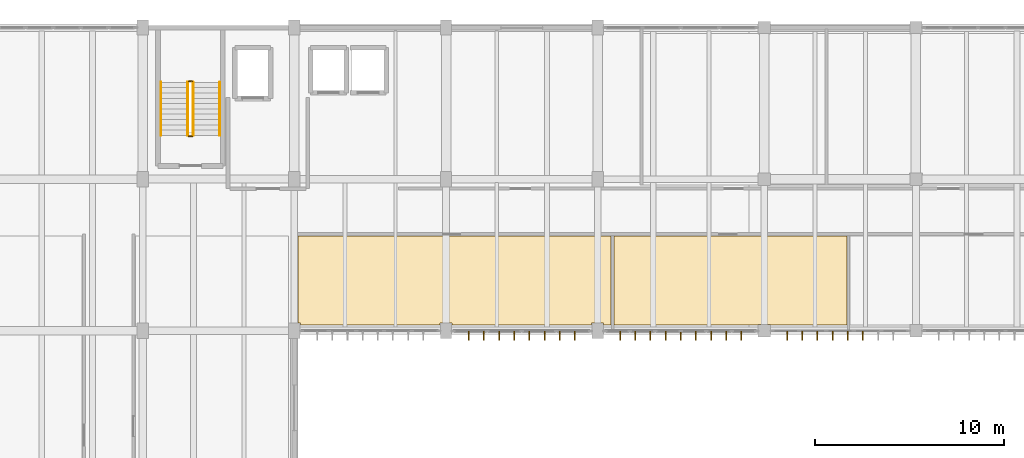
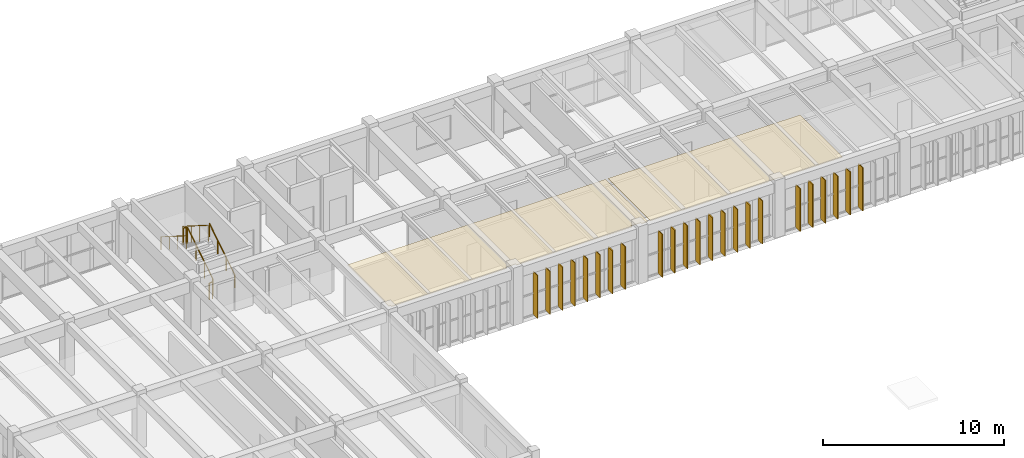
# One storey, part 25 of 31: 23 shading devices, 6 railings, 2 coverings.
"""IFC4 building model written with IfcOpenShell, lengths in metres."""

from ifc_helpers import new_model, si_unit, direction, frame, origin, origin_2d, place, context, subcontext, project, spatial, polyline, rectangle, circle, outline, extrude, material, layer, layer_set, type_object, element, save


model = new_model("IFC4")

# Units and contexts
model_context = context("Model", 3, precision=1e-05, world=origin(), true_north=direction((0.0, 1.0)))
body_context = subcontext(model_context, "Body", "Model", "MODEL_VIEW")
ifc_project = project(units=[si_unit("LENGTHUNIT", "METRE"), si_unit("AREAUNIT", "SQUARE_METRE"), si_unit("VOLUMEUNIT", "CUBIC_METRE"), si_unit("PLANEANGLEUNIT", "RADIAN"), si_unit("MASSUNIT", "GRAM", prefix="KILO")], contexts=[model_context])

# Site, building, storey
site_placement = place(None, origin())
site = spatial("IfcSite", under=ifc_project, at=site_placement, CompositionType="ELEMENT")
building_placement = place(site_placement, origin())
building = spatial("IfcBuilding", under=site, at=building_placement, Name="Tlaxcora Railside Police Headquarters", CompositionType="ELEMENT")
storey_placement = place(building_placement, frame((0.0, 0.0, 18.0)))
storey = spatial("IfcBuildingStorey", under=building, at=storey_placement, Name="L04", CompositionType="ELEMENT", Elevation=18.0)

# Coverings
ifc_material_1 = material(Name="Mineral-fibre acoustic ceiling tile")
ifc_layer_1 = layer(ifc_material_1, 0.034912109375, Name="Mineral-fibre acoustic ceiling tile")
ifc_layer_set_1 = layer_set([ifc_layer_1], Name="Mineral-fibre acoustic ceiling tile")
covering_type = type_object("IfcCoveringType", Name="Acoustic Suspended Ceiling CLG-01", PredefinedType="CEILING", material=ifc_layer_set_1)
covering_1_placement = place(storey_placement, frame((0.0, 0.0, 3.465087890625)))
element("IfcCovering", 1, at=covering_1_placement, inside=storey, type_object=covering_type, Name="Special Operations Division Planning Hall suspended ceiling", PredefinedType="CEILING", context=body_context, shape_type="SweptSolid", body=[
    extrude(outline(polyline([(45.9140625, 77.10009765625), (45.9140625, 81.800048828125), (29.39990234375, 81.800048828125), (29.39990234375, 77.2099609375), (29.510009765625, 77.2099609375), (29.510009765625, 77.10009765625), (36.889892578125, 77.10009765625), (36.889892578125, 77.2099609375), (37.510009765625, 77.2099609375), (37.510009765625, 77.10009765625), (44.889892578125, 77.10009765625), (44.889892578125, 77.2099609375), (45.510009765625, 77.2099609375), (45.510009765625, 77.10009765625), (45.9140625, 77.10009765625)])), origin(), (0.0, 0.0, 1.0), 0.034912109375),
])
covering_2_placement = place(storey_placement, frame((0.0, 0.0, 3.465087890625)))
element("IfcCovering", 2, at=covering_2_placement, inside=storey, type_object=covering_type, Name="Hostage Negotiation and Crisis Suite suspended ceiling", PredefinedType="CEILING", context=body_context, shape_type="SweptSolid", body=[
    extrude(outline(polyline([(46.073974609375, 81.800048828125), (46.073974609375, 77.10009765625), (53.6650390625, 77.10009765625), (53.6650390625, 77.135009765625), (54.3349609375, 77.135009765625), (54.3349609375, 77.10009765625), (58.35888671875, 77.10009765625), (58.35888671875, 81.800048828125), (46.073974609375, 81.800048828125)])), origin(), (0.0, 0.0, 1.0), 0.034912109375),
])

# Shading devices
ifc_material_2 = material(Name="Anodised aluminium framing", Category="aluminium")
ifc_layer_2 = layer(ifc_material_2, 0.054931640625, Name="Anodised aluminium framing")
ifc_layer_set_2 = layer_set([ifc_layer_2], Name="Anodised aluminium framing")
shading_device_type = type_object("IfcShadingDeviceType", Name="Solar Control Fin SF-01", PredefinedType="JALOUSIE", material=ifc_layer_set_2)
for number, where, z_axis, x_axis, name in (
    (3, (38.39990234375, 76.5400390625, 0.0400390625), (0.0, 0.0, 1.0), (0.0, -1.0, 0.0), "Vertical solar fin 412"),
    (4, (39.199951171875, 76.5400390625, 0.0400390625), (0.0, 0.0, 1.0), (0.0, -1.0, 0.0), "Vertical solar fin 413"),
    (5, (40.0, 76.5400390625, 0.0400390625), (0.0, 0.0, 1.0), (0.0, -1.0, 0.0), "Vertical solar fin 414"),
    (6, (40.800048828125, 76.5400390625, 0.0400390625), (0.0, 0.0, 1.0), (0.0, -1.0, 0.0), "Vertical solar fin 415"),
    (7, (41.60009765625, 76.5400390625, 0.0400390625), (0.0, 0.0, 1.0), (0.0, -1.0, 0.0), "Vertical solar fin 416"),
    (8, (42.39990234375, 76.5400390625, 0.0400390625), (0.0, 0.0, 1.0), (0.0, -1.0, 0.0), "Vertical solar fin 417"),
    (9, (43.199951171875, 76.5400390625, 0.0400390625), (0.0, 0.0, 1.0), (0.0, -1.0, 0.0), "Vertical solar fin 418"),
    (10, (44.0, 76.5400390625, 0.0400390625), (0.0, 0.0, 1.0), (0.0, -1.0, 0.0), "Vertical solar fin 419"),
    (11, (46.387451171875, 76.5400390625, 0.0400390625), (0.0, 0.0, 1.0), (0.0, -1.0, 0.0), "Vertical solar fin 420"),
    (12, (47.1875, 76.5400390625, 0.0400390625), (0.0, 0.0, 1.0), (0.0, -1.0, 0.0), "Vertical solar fin 421"),
    (13, (47.987548828125, 76.5400390625, 0.0400390625), (0.0, 0.0, 1.0), (0.0, -1.0, 0.0), "Vertical solar fin 422"),
    (14, (48.78759765625, 76.5400390625, 0.0400390625), (0.0, 0.0, 1.0), (0.0, -1.0, 0.0), "Vertical solar fin 423"),
    (15, (49.58740234375, 76.5400390625, 0.0400390625), (0.0, 0.0, 1.0), (0.0, -1.0, 0.0), "Vertical solar fin 424"),
    (16, (50.387451171875, 76.5400390625, 0.0400390625), (0.0, 0.0, 1.0), (0.0, -1.0, 0.0), "Vertical solar fin 425"),
    (17, (51.1875, 76.5400390625, 0.0400390625), (0.0, 0.0, 1.0), (0.0, -1.0, 0.0), "Vertical solar fin 426"),
    (18, (51.987548828125, 76.5400390625, 0.0400390625), (0.0, 0.0, 1.0), (0.0, -1.0, 0.0), "Vertical solar fin 427"),
    (19, (52.78759765625, 76.5400390625, 0.0400390625), (0.0, 0.0, 1.0), (0.0, -1.0, 0.0), "Vertical solar fin 428"),
    (20, (55.199951171875, 76.5400390625, 0.0400390625), (0.0, 0.0, 1.0), (0.0, -1.0, 0.0), "Vertical solar fin 429"),
    (21, (56.0, 76.5400390625, 0.0400390625), (0.0, 0.0, 1.0), (0.0, -1.0, 0.0), "Vertical solar fin 430"),
    (22, (56.800048828125, 76.5400390625, 0.0400390625), (0.0, 0.0, 1.0), (0.0, -1.0, 0.0), "Vertical solar fin 431"),
    (23, (57.60009765625, 76.5400390625, 0.0400390625), (0.0, 0.0, 1.0), (0.0, -1.0, 0.0), "Vertical solar fin 432"),
    (24, (58.39990234375, 76.5400390625, 0.0400390625), (0.0, 0.0, 1.0), (0.0, -1.0, 0.0), "Vertical solar fin 433"),
    (25, (59.199951171875, 76.5400390625, 0.0400390625), (0.0, 0.0, 1.0), (0.0, -1.0, 0.0), "Vertical solar fin 434"),
):
    element("IfcShadingDevice", number, at=place(storey_placement, frame(where, z_axis=z_axis, x_axis=x_axis)), inside=storey, type_object=shading_device_type, Name=name, PredefinedType="JALOUSIE", context=body_context, shape_type="SweptSolid", body=[
        extrude(rectangle(XDim=0.47998046875, YDim=0.054931640625, at=origin_2d()), origin(), (0.0, 0.0, 1.0), 2.909912109375),
    ])

# Railings
ifc_material_3 = material(Name="Steel ASTM A992 Grade 50", Category="steel")
railing_type_1 = type_object("IfcRailingType", Name="Stair Well Guard Balustrade GR-02", PredefinedType="BALUSTRADE", material=ifc_material_3)
railing_1_placement = place(storey_placement, frame((23.860107421875, 87.110107421875, 0.17724609375)))
element("IfcRailing", 26, at=railing_1_placement, inside=storey, type_object=railing_type_1, Name="L04 ST1 stair guard 1", PredefinedType="BALUSTRADE", context=body_context, shape_type="SweptSolid", body=[
    extrude(circle(Radius=0.02392578125, at=origin_2d()), frame((0.0, 0.0, 1.09619140625), z_axis=(0.0, 0.844887892834, 0.53494340686), x_axis=(-1.0, 0.0, 0.0)), (0.0, 0.0, 1.0), 3.313720703125),
    extrude(circle(Radius=0.02099609375, at=origin_2d()), origin(), (0.0, 0.0, 1.0), 1.072021484375),
    extrude(circle(Radius=0.02099609375, at=origin_2d()), frame((0.0, 0.933349609375, 0.5908203125)), (0.0, 0.0, 1.0), 1.072021484375),
    extrude(circle(Radius=0.02099609375, at=origin_2d()), frame((0.0, 1.866455078125, 1.181884765625)), (0.0, 0.0, 1.0), 1.072021484375),
    extrude(circle(Radius=0.02099609375, at=origin_2d()), frame((0.0, 2.7998046875, 1.772705078125)), (0.0, 0.0, 1.0), 1.072021484375),
])
railing_2_placement = place(storey_placement, frame((23.81005859375, 89.9599609375, 1.949951171875)))
element("IfcRailing", 27, at=railing_2_placement, inside=storey, type_object=railing_type_1, Name="L04 ST1 stair guard 2", PredefinedType="BALUSTRADE", context=body_context, shape_type="SweptSolid", body=[
    extrude(circle(Radius=0.02392578125, at=origin_2d()), frame((0.0, 0.0, 1.09619140625), z_axis=(-1.0, 0.0, 0.0), x_axis=(0.0, -1.0, 0.0)), (0.0, 0.0, 1.0), 0.199951171875),
    extrude(circle(Radius=0.02099609375, at=origin_2d()), origin(), (0.0, 0.0, 1.0), 1.072021484375),
    extrude(circle(Radius=0.02099609375, at=origin_2d()), frame((-0.199951171875, 0.0, 0.0)), (0.0, 0.0, 1.0), 1.072021484375),
])
railing_3_placement = place(storey_placement, frame((23.56005859375, 89.909912109375, 2.127197265625)))
element("IfcRailing", 28, at=railing_3_placement, inside=storey, type_object=railing_type_1, Name="L04 ST1 stair guard 3", PredefinedType="BALUSTRADE", context=body_context, shape_type="SweptSolid", body=[
    extrude(circle(Radius=0.02392578125, at=origin_2d()), frame((0.0, 0.0, 1.09619140625), z_axis=(0.0, -0.844887892834, 0.53494340686), x_axis=(1.0, 0.0, 0.0)), (0.0, 0.0, 1.0), 3.313720703125),
    extrude(circle(Radius=0.02099609375, at=origin_2d()), origin(), (0.0, 0.0, 1.0), 1.072021484375),
    extrude(circle(Radius=0.02099609375, at=origin_2d()), frame((0.0, -0.933349609375, 0.5908203125)), (0.0, 0.0, 1.0), 1.072021484375),
    extrude(circle(Radius=0.02099609375, at=origin_2d()), frame((0.0, -1.866455078125, 1.181884765625)), (0.0, 0.0, 1.0), 1.072021484375),
    extrude(circle(Radius=0.02099609375, at=origin_2d()), frame((0.0, -2.7998046875, 1.772705078125)), (0.0, 0.0, 1.0), 1.072021484375),
])
railing_4_placement = place(storey_placement, frame((23.81005859375, 87.06005859375, 0.0)))
element("IfcRailing", 29, at=railing_4_placement, inside=storey, type_object=railing_type_1, Name="L04 ST1 stair guard 4", PredefinedType="BALUSTRADE", context=body_context, shape_type="SweptSolid", body=[
    extrude(circle(Radius=0.02392578125, at=origin_2d()), frame((0.0, 0.0, 1.09619140625), z_axis=(-1.0, 0.0, 0.0), x_axis=(0.0, -1.0, 0.0)), (0.0, 0.0, 1.0), 0.199951171875),
    extrude(circle(Radius=0.02099609375, at=origin_2d()), origin(), (0.0, 0.0, 1.0), 1.072021484375),
    extrude(circle(Radius=0.02099609375, at=origin_2d()), frame((-0.199951171875, 0.0, 0.0)), (0.0, 0.0, 1.0), 1.072021484375),
])
railing_type_2 = type_object("IfcRailingType", Name="Stair and Ramp Handrail HR-01", PredefinedType="HANDRAIL", material=ifc_material_3)
railing_5_placement = place(storey_placement, frame((25.260009765625, 87.110107421875, 0.17724609375)))
element("IfcRailing", 30, at=railing_5_placement, inside=storey, type_object=railing_type_2, Name="L04 ST1 stair handrail 1", PredefinedType="HANDRAIL", context=body_context, shape_type="SweptSolid", body=[
    extrude(circle(Radius=0.02392578125, at=origin_2d()), frame((0.0, 0.0, 0.8759765625), z_axis=(0.0, 0.844887892834, 0.53494340686), x_axis=(-1.0, 0.0, 0.0)), (0.0, 0.0, 1.0), 3.313720703125),
    extrude(circle(Radius=0.02099609375, at=origin_2d()), origin(), (0.0, 0.0, 1.0), 0.851806640625),
    extrude(circle(Radius=0.02099609375, at=origin_2d()), frame((0.0, 0.933349609375, 0.5908203125)), (0.0, 0.0, 1.0), 0.851806640625),
    extrude(circle(Radius=0.02099609375, at=origin_2d()), frame((0.0, 1.866455078125, 1.181884765625)), (0.0, 0.0, 1.0), 0.851806640625),
    extrude(circle(Radius=0.02099609375, at=origin_2d()), frame((0.0, 2.7998046875, 1.772705078125)), (0.0, 0.0, 1.0), 0.851806640625),
])
railing_6_placement = place(storey_placement, frame((22.159912109375, 89.909912109375, 2.127197265625)))
element("IfcRailing", 31, at=railing_6_placement, inside=storey, type_object=railing_type_2, Name="L04 ST1 stair handrail 2", PredefinedType="HANDRAIL", context=body_context, shape_type="SweptSolid", body=[
    extrude(circle(Radius=0.02392578125, at=origin_2d()), frame((0.0, 0.0, 0.8759765625), z_axis=(0.0, -0.844887892834, 0.53494340686), x_axis=(1.0, 0.0, 0.0)), (0.0, 0.0, 1.0), 3.313720703125),
    extrude(circle(Radius=0.02099609375, at=origin_2d()), origin(), (0.0, 0.0, 1.0), 0.851806640625),
    extrude(circle(Radius=0.02099609375, at=origin_2d()), frame((0.0, -0.933349609375, 0.5908203125)), (0.0, 0.0, 1.0), 0.851806640625),
    extrude(circle(Radius=0.02099609375, at=origin_2d()), frame((0.0, -1.866455078125, 1.181884765625)), (0.0, 0.0, 1.0), 0.851806640625),
    extrude(circle(Radius=0.02099609375, at=origin_2d()), frame((0.0, -2.7998046875, 1.772705078125)), (0.0, 0.0, 1.0), 0.851806640625),
])

save(model, "model.ifc")
